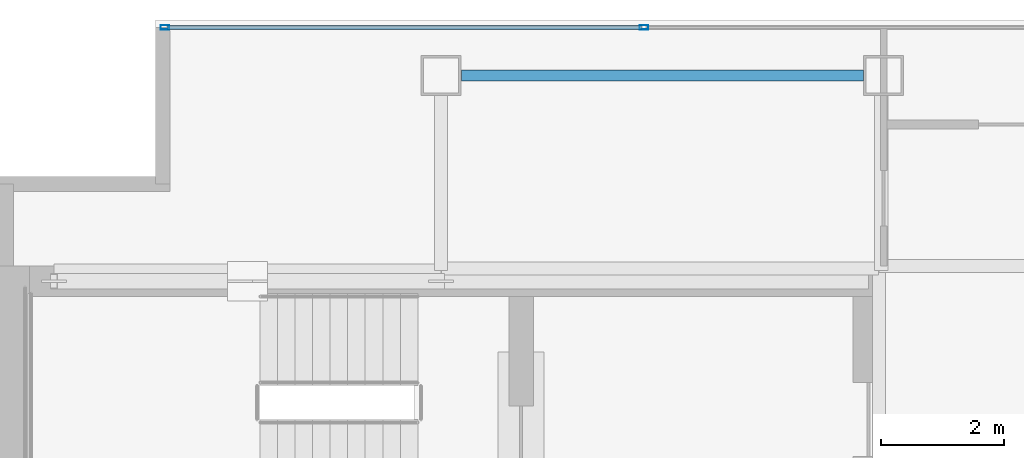
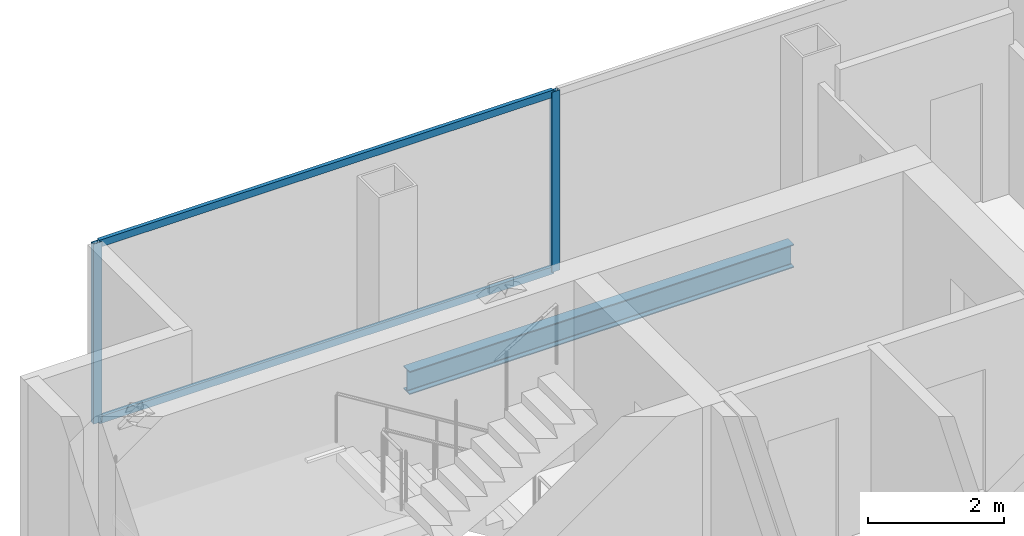
# One storey, part 17 of 23: 4 members, 1 beam, 1 element without a shape of its own.
"""IFC4 building model written with IfcOpenShell, lengths in metres."""

from ifc_helpers import new_model, si_unit, direction, frame, origin, origin_2d, place, context, subcontext, project, spatial, hollow_rectangle, i_section, extrude, material, material_profile, profile_set, type_object, element, aggregate, save


model = new_model("IFC4")

# Units and contexts
model_context = context("Model", 3, precision=1e-05, world=origin(), true_north=direction((0.0, 1.0)))
body_context = subcontext(model_context, "Body", "Model", "MODEL_VIEW")
ifc_project = project(units=[si_unit("LENGTHUNIT", "METRE"), si_unit("AREAUNIT", "SQUARE_METRE"), si_unit("VOLUMEUNIT", "CUBIC_METRE"), si_unit("PLANEANGLEUNIT", "RADIAN"), si_unit("MASSUNIT", "GRAM", prefix="KILO")], contexts=[model_context])

# Site, building, storey
site_placement = place(None, origin())
site = spatial("IfcSite", under=ifc_project, at=site_placement, CompositionType="ELEMENT")
building_placement = place(site_placement, origin())
building = spatial("IfcBuilding", under=site, at=building_placement, Name="Cobrela Telecom Tower", CompositionType="ELEMENT")
storey_placement = place(building_placement, frame((0.0, 0.0, 255.14990234375)))
storey = spatial("IfcBuildingStorey", under=building, at=storey_placement, Name="L66", CompositionType="ELEMENT", Elevation=255.14990234375)

# Beam
ifc_material_1 = material(Name="Steel ASTM A992 Grade 50", Category="steel")
ifc_material_profile_1 = material_profile(ifc_material_1, i_section(OverallWidth=0.179931640625, OverallDepth=0.4169921875, WebThickness=0.010986328125, FlangeThickness=0.01806640625, FilletRadius=0.011962890625, at=origin_2d()), Name="W16X57")
ifc_profile_set_1 = profile_set([ifc_material_profile_1], Name="Steel ASTM A992 Grade 50")
beam_type = type_object("IfcBeamType", Name="BM-SPAND-06", PredefinedType="SPANDREL", material=ifc_profile_set_1)
beam_placement = place(storey_placement, frame((7.530029296875, 39.10009765625, -0.468505859375), z_axis=(1.0, 0.0, 0.0), x_axis=(0.0, 1.0, 0.0)))
element("IfcBeam", 1, at=beam_placement, inside=storey, type_object=beam_type, Name="L66 Perimeter Spandrel X19", PredefinedType="SPANDREL", context=body_context, shape_type="SweptSolid", body=[
    extrude(i_section(OverallWidth=0.179931640625, OverallDepth=0.4169921875, WebThickness=0.010986328125, FlangeThickness=0.01806640625, FilletRadius=0.011962890625, at=origin_2d()), origin(), (0.0, 0.0, 1.0), 6.5400390625),
])

# Curtain wall, members
ifc_material_2 = material(Name="Anodized Bronze Aluminium 6063-T6", Category="aluminium")
curtain_wall_type = type_object("IfcCurtainWallType", Name="CW-SYS-OFF-HI", PredefinedType="USERDEFINED", material=ifc_material_2)
curtain_wall_placement = place(storey_placement, origin())
curtain_wall = element("IfcCurtainWall", 2, at=curtain_wall_placement, inside=storey, type_object=curtain_wall_type, Name="L66 Unitised Bronze Curtain Wall 05", ObjectType="UNITISED CURTAIN WALL", PredefinedType="USERDEFINED")
ifc_material_profile_2 = material_profile(ifc_material_2, hollow_rectangle(XDim=0.070068359375, YDim=0.139892578125, WallThickness=0.00390625, at=origin_2d()), Name="ALU 70x140x4")
ifc_profile_set_2 = profile_set([ifc_material_profile_2], Name="Anodized Bronze Aluminium 6063-T6")
member_type_1 = type_object("IfcMemberType", Name="CW-SYS-OFF-HI-MUL", PredefinedType="MULLION", material=ifc_profile_set_2)
member_1_placement = place(storey_placement, frame((2.705078125, 39.8798828125, 0.0), z_axis=(0.0, 0.0, 1.0), x_axis=(0.0, 1.0, 0.0)))
member_1 = element("IfcMember", 3, at=member_1_placement, type_object=member_type_1, Name="CW-OFF-HI mullion 1", PredefinedType="MULLION", context=body_context, shape_type="SweptSolid", body=[
    extrude(hollow_rectangle(XDim=0.070068359375, YDim=0.139892578125, WallThickness=0.00390625, at=origin_2d()), origin(), (0.0, 0.0, 1.0), 3.239990234375),
])
member_2_placement = place(storey_placement, frame((10.5, 39.8798828125, 0.0), z_axis=(0.0, 0.0, 1.0), x_axis=(0.0, 1.0, 0.0)))
member_2 = element("IfcMember", 4, at=member_2_placement, type_object=member_type_1, Name="CW-OFF-HI mullion 2", PredefinedType="MULLION", context=body_context, shape_type="SweptSolid", body=[
    extrude(hollow_rectangle(XDim=0.070068359375, YDim=0.139892578125, WallThickness=0.00390625, at=origin_2d()), origin(), (0.0, 0.0, 1.0), 3.239990234375),
])
ifc_material_profile_3 = material_profile(ifc_material_2, hollow_rectangle(XDim=0.06494140625, YDim=0.1298828125, WallThickness=0.00390625, at=origin_2d()), Name="ALU 65x130x4")
ifc_profile_set_3 = profile_set([ifc_material_profile_3], Name="Anodized Bronze Aluminium 6063-T6")
member_type_2 = type_object("IfcMemberType", Name="CW-SYS-OFF-HI-TRN", PredefinedType="USERDEFINED", material=ifc_profile_set_3)
member_3_placement = place(storey_placement, frame((2.739990234375, 39.8798828125, 0.03271484375), z_axis=(1.0, 0.0, 0.0), x_axis=(0.0, 1.0, 0.0)))
member_3 = element("IfcMember", 5, at=member_3_placement, type_object=member_type_2, Name="CW-OFF-HI transom 1.1", ObjectType="TRANSOM", PredefinedType="USERDEFINED", context=body_context, shape_type="SweptSolid", body=[
    extrude(hollow_rectangle(XDim=0.06494140625, YDim=0.1298828125, WallThickness=0.00390625, at=origin_2d()), origin(), (0.0, 0.0, 1.0), 7.72509765625),
])
member_4_placement = place(storey_placement, frame((2.739990234375, 39.8798828125, 3.20751953125), z_axis=(1.0, 0.0, 0.0), x_axis=(0.0, 1.0, 0.0)))
member_4 = element("IfcMember", 6, at=member_4_placement, type_object=member_type_2, Name="CW-OFF-HI transom 1.2", ObjectType="TRANSOM", PredefinedType="USERDEFINED", context=body_context, shape_type="SweptSolid", body=[
    extrude(hollow_rectangle(XDim=0.06494140625, YDim=0.1298828125, WallThickness=0.00390625, at=origin_2d()), origin(), (0.0, 0.0, 1.0), 7.72509765625),
])
aggregate(curtain_wall, [member_1, member_2, member_3, member_4])

save(model, "model.ifc")
